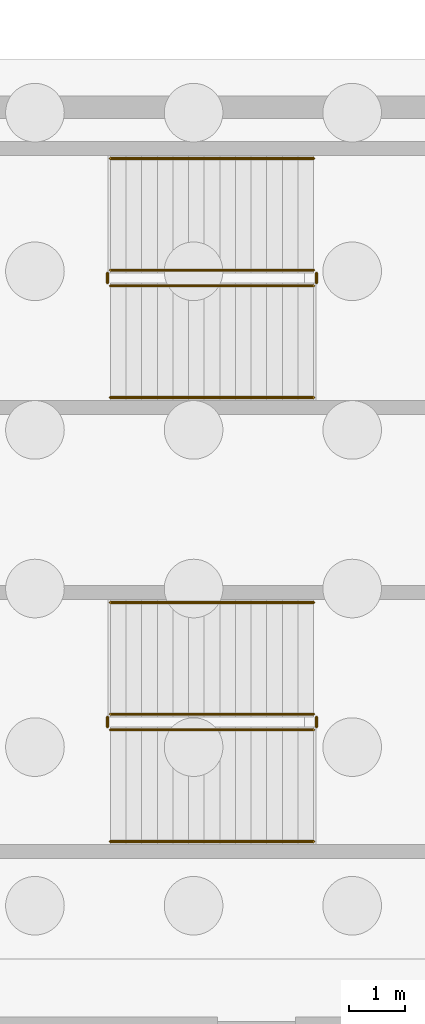
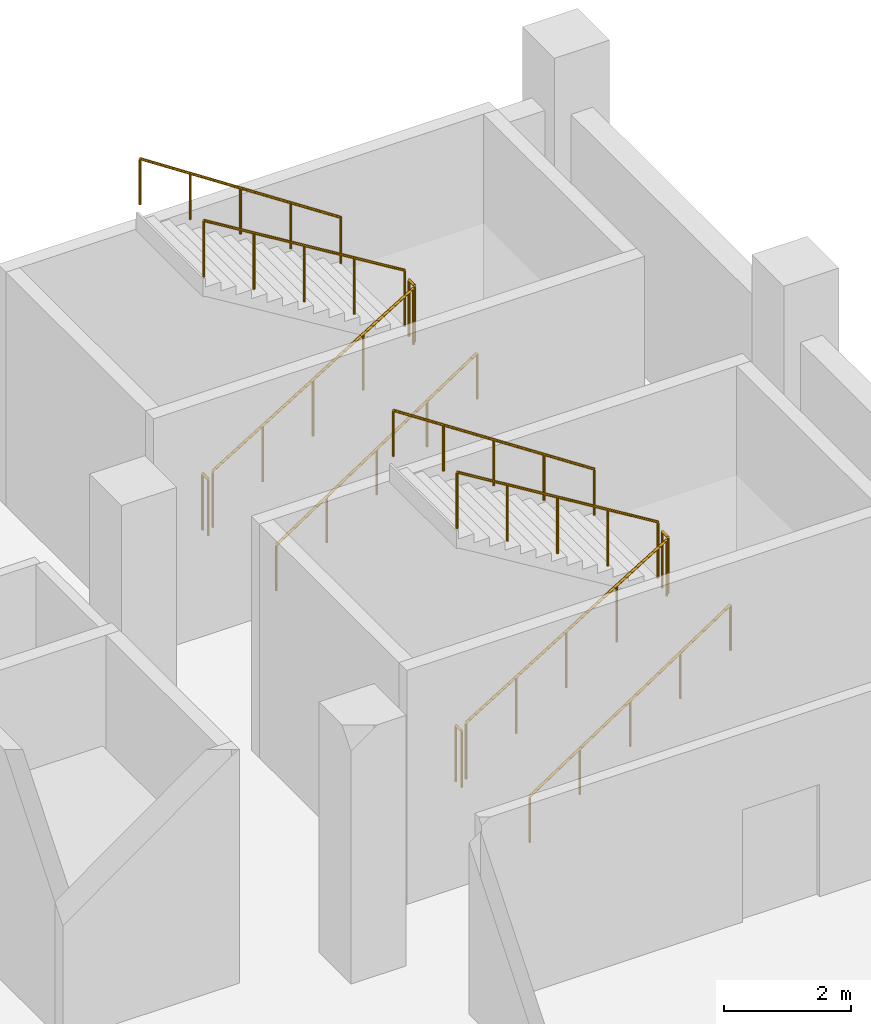
# One storey, part 9 of 10: 12 railings.
"""IFC4 building model written with IfcOpenShell, lengths in metres."""

from ifc_helpers import new_model, si_unit, direction, frame, origin, origin_2d, place, context, subcontext, project, spatial, circle, extrude, material, type_object, element, save


model = new_model("IFC4")

# Units and contexts
model_context = context("Model", 3, precision=1e-05, world=origin(), true_north=direction((0.0, 1.0)))
body_context = subcontext(model_context, "Body", "Model", "MODEL_VIEW")
ifc_project = project(units=[si_unit("LENGTHUNIT", "METRE"), si_unit("AREAUNIT", "SQUARE_METRE"), si_unit("VOLUMEUNIT", "CUBIC_METRE"), si_unit("PLANEANGLEUNIT", "RADIAN"), si_unit("MASSUNIT", "GRAM", prefix="KILO")], contexts=[model_context])

# Site, building, storey
site_placement = place(None, origin())
site = spatial("IfcSite", under=ifc_project, at=site_placement, CompositionType="ELEMENT")
building_placement = place(site_placement, origin())
building = spatial("IfcBuilding", under=site, at=building_placement, Name="Cendralis Lancet Convention Centre", CompositionType="ELEMENT")
storey_placement = place(building_placement, frame((0.0, 0.0, -4.800048828125)))
storey = spatial("IfcBuildingStorey", under=building, at=storey_placement, Name="B1", CompositionType="ELEMENT", Elevation=-4.800048828125)

# Railings
ifc_material = material(Name="Steel S355", Category="steel")
railing_type_1 = type_object("IfcRailingType", Name="ARC-RL-CGD", PredefinedType="GUARDRAIL", material=ifc_material)
railing_1_placement = place(storey_placement, frame((200.550048828125, 24.85009765625, 0.17138671875)))
element("IfcRailing", 1, at=railing_1_placement, inside=storey, type_object=railing_type_1, Name="B1 ST-15 stair guard 1", PredefinedType="GUARDRAIL", context=body_context, shape_type="SweptSolid", body=[
    extrude(circle(Radius=0.02392578125, at=origin_2d()), frame((0.0, 0.0, 1.076171875), z_axis=(0.852824790078, 0.0, 0.522197163366), x_axis=(0.0, 1.0, 0.0)), (0.0, 0.0, 1.0), 4.26806640625),
    extrude(circle(Radius=0.02099609375, at=origin_2d()), origin(), (0.0, 0.0, 1.0), 1.052001953125),
    extrude(circle(Radius=0.02099609375, at=origin_2d()), frame((0.909912109375, 0.0, 0.55712890625)), (0.0, 0.0, 1.0), 1.052001953125),
    extrude(circle(Radius=0.02099609375, at=origin_2d()), frame((1.81982421875, 0.0, 1.1142578125)), (0.0, 0.0, 1.0), 1.052001953125),
    extrude(circle(Radius=0.02099609375, at=origin_2d()), frame((2.72998046875, 0.0, 1.671630859375)), (0.0, 0.0, 1.0), 1.052001953125),
    extrude(circle(Radius=0.02099609375, at=origin_2d()), frame((3.639892578125, 0.0, 2.228759765625)), (0.0, 0.0, 1.0), 1.052001953125),
])
railing_2_placement = place(storey_placement, frame((204.239990234375, 24.89990234375, 2.400146484375)))
element("IfcRailing", 2, at=railing_2_placement, inside=storey, type_object=railing_type_1, Name="B1 ST-15 stair guard 2", PredefinedType="GUARDRAIL", context=body_context, shape_type="SweptSolid", body=[
    extrude(circle(Radius=0.02392578125, at=origin_2d()), frame((0.0, 0.0, 1.076171875), z_axis=(0.0, 1.0, 0.0), x_axis=(-1.0, 0.0, 0.0)), (0.0, 0.0, 1.0), 0.18017578125),
    extrude(circle(Radius=0.02099609375, at=origin_2d()), origin(), (0.0, 0.0, 1.0), 1.052001953125),
    extrude(circle(Radius=0.02099609375, at=origin_2d()), frame((0.0, 0.18017578125, 0.0)), (0.0, 0.0, 1.0), 1.052001953125),
])
railing_3_placement = place(storey_placement, frame((204.18994140625, 25.1298828125, 2.571533203125)))
element("IfcRailing", 3, at=railing_3_placement, inside=storey, type_object=railing_type_1, Name="B1 ST-15 stair guard 3", PredefinedType="GUARDRAIL", context=body_context, shape_type="SweptSolid", body=[
    extrude(circle(Radius=0.02392578125, at=origin_2d()), frame((0.0, 0.0, 1.076171875), z_axis=(-0.852850264322, 0.0, 0.5221555579), x_axis=(0.0, -1.0, 0.0)), (0.0, 0.0, 1.0), 4.267822265625),
    extrude(circle(Radius=0.02099609375, at=origin_2d()), origin(), (0.0, 0.0, 1.0), 1.052001953125),
    extrude(circle(Radius=0.02099609375, at=origin_2d()), frame((-0.909912109375, 0.0, 0.55712890625)), (0.0, 0.0, 1.0), 1.052001953125),
    extrude(circle(Radius=0.02099609375, at=origin_2d()), frame((-1.81982421875, 0.0, 1.1142578125)), (0.0, 0.0, 1.0), 1.052001953125),
    extrude(circle(Radius=0.02099609375, at=origin_2d()), frame((-2.72998046875, 0.0, 1.67138671875)), (0.0, 0.0, 1.0), 1.052001953125),
    extrude(circle(Radius=0.02099609375, at=origin_2d()), frame((-3.639892578125, 0.0, 2.228515625)), (0.0, 0.0, 1.0), 1.052001953125),
])
railing_4_placement = place(storey_placement, frame((200.5, 24.89990234375, 0.0)))
element("IfcRailing", 4, at=railing_4_placement, inside=storey, type_object=railing_type_1, Name="B1 ST-15 stair guard 4", PredefinedType="GUARDRAIL", context=body_context, shape_type="SweptSolid", body=[
    extrude(circle(Radius=0.02392578125, at=origin_2d()), frame((0.0, 0.0, 1.076171875), z_axis=(0.0, 1.0, 0.0), x_axis=(-1.0, 0.0, 0.0)), (0.0, 0.0, 1.0), 0.18017578125),
    extrude(circle(Radius=0.02099609375, at=origin_2d()), origin(), (0.0, 0.0, 1.0), 1.052001953125),
    extrude(circle(Radius=0.02099609375, at=origin_2d()), frame((0.0, 0.18017578125, 0.0)), (0.0, 0.0, 1.0), 1.052001953125),
])
railing_5_placement = place(storey_placement, frame((200.550048828125, 32.800048828125, 0.17138671875)))
element("IfcRailing", 5, at=railing_5_placement, inside=storey, type_object=railing_type_1, Name="B1 ST-16 stair guard 1", PredefinedType="GUARDRAIL", context=body_context, shape_type="SweptSolid", body=[
    extrude(circle(Radius=0.02392578125, at=origin_2d()), frame((0.0, 0.0, 1.076171875), z_axis=(0.852824790078, 0.0, 0.522197163366), x_axis=(0.0, 1.0, 0.0)), (0.0, 0.0, 1.0), 4.26806640625),
    extrude(circle(Radius=0.02099609375, at=origin_2d()), origin(), (0.0, 0.0, 1.0), 1.052001953125),
    extrude(circle(Radius=0.02099609375, at=origin_2d()), frame((0.909912109375, 0.0, 0.55712890625)), (0.0, 0.0, 1.0), 1.052001953125),
    extrude(circle(Radius=0.02099609375, at=origin_2d()), frame((1.81982421875, 0.0, 1.1142578125)), (0.0, 0.0, 1.0), 1.052001953125),
    extrude(circle(Radius=0.02099609375, at=origin_2d()), frame((2.72998046875, 0.0, 1.671630859375)), (0.0, 0.0, 1.0), 1.052001953125),
    extrude(circle(Radius=0.02099609375, at=origin_2d()), frame((3.639892578125, 0.0, 2.228759765625)), (0.0, 0.0, 1.0), 1.052001953125),
])
railing_6_placement = place(storey_placement, frame((204.239990234375, 32.85009765625, 2.400146484375)))
element("IfcRailing", 6, at=railing_6_placement, inside=storey, type_object=railing_type_1, Name="B1 ST-16 stair guard 2", PredefinedType="GUARDRAIL", context=body_context, shape_type="SweptSolid", body=[
    extrude(circle(Radius=0.02392578125, at=origin_2d()), frame((0.0, 0.0, 1.076171875), z_axis=(0.0, 1.0, 0.0), x_axis=(-1.0, 0.0, 0.0)), (0.0, 0.0, 1.0), 0.179931640625),
    extrude(circle(Radius=0.02099609375, at=origin_2d()), origin(), (0.0, 0.0, 1.0), 1.052001953125),
    extrude(circle(Radius=0.02099609375, at=origin_2d()), frame((0.0, 0.179931640625, 0.0)), (0.0, 0.0, 1.0), 1.052001953125),
])
railing_7_placement = place(storey_placement, frame((204.18994140625, 33.080078125, 2.571533203125)))
element("IfcRailing", 7, at=railing_7_placement, inside=storey, type_object=railing_type_1, Name="B1 ST-16 stair guard 3", PredefinedType="GUARDRAIL", context=body_context, shape_type="SweptSolid", body=[
    extrude(circle(Radius=0.02392578125, at=origin_2d()), frame((0.0, 0.0, 1.076171875), z_axis=(-0.852850264322, 0.0, 0.5221555579), x_axis=(0.0, -1.0, 0.0)), (0.0, 0.0, 1.0), 4.267822265625),
    extrude(circle(Radius=0.02099609375, at=origin_2d()), origin(), (0.0, 0.0, 1.0), 1.052001953125),
    extrude(circle(Radius=0.02099609375, at=origin_2d()), frame((-0.909912109375, 0.0, 0.55712890625)), (0.0, 0.0, 1.0), 1.052001953125),
    extrude(circle(Radius=0.02099609375, at=origin_2d()), frame((-1.81982421875, 0.0, 1.1142578125)), (0.0, 0.0, 1.0), 1.052001953125),
    extrude(circle(Radius=0.02099609375, at=origin_2d()), frame((-2.72998046875, 0.0, 1.67138671875)), (0.0, 0.0, 1.0), 1.052001953125),
    extrude(circle(Radius=0.02099609375, at=origin_2d()), frame((-3.639892578125, 0.0, 2.228515625)), (0.0, 0.0, 1.0), 1.052001953125),
])
railing_8_placement = place(storey_placement, frame((200.5, 32.85009765625, 0.0)))
element("IfcRailing", 8, at=railing_8_placement, inside=storey, type_object=railing_type_1, Name="B1 ST-16 stair guard 4", PredefinedType="GUARDRAIL", context=body_context, shape_type="SweptSolid", body=[
    extrude(circle(Radius=0.02392578125, at=origin_2d()), frame((0.0, 0.0, 1.076171875), z_axis=(0.0, 1.0, 0.0), x_axis=(-1.0, 0.0, 0.0)), (0.0, 0.0, 1.0), 0.179931640625),
    extrude(circle(Radius=0.02099609375, at=origin_2d()), origin(), (0.0, 0.0, 1.0), 1.052001953125),
    extrude(circle(Radius=0.02099609375, at=origin_2d()), frame((0.0, 0.179931640625, 0.0)), (0.0, 0.0, 1.0), 1.052001953125),
])
railing_type_2 = type_object("IfcRailingType", Name="ARC-RL-CHR", PredefinedType="HANDRAIL", material=ifc_material)
railing_9_placement = place(storey_placement, frame((200.550048828125, 22.85009765625, 0.17138671875)))
element("IfcRailing", 9, at=railing_9_placement, inside=storey, type_object=railing_type_2, Name="B1 ST-15 stair handrail 1", PredefinedType="HANDRAIL", context=body_context, shape_type="SweptSolid", body=[
    extrude(circle(Radius=0.02392578125, at=origin_2d()), frame((0.0, 0.0, 0.8759765625), z_axis=(0.834839479206, 0.0, 0.550493454965), x_axis=(0.0, 1.0, 0.0)), (0.0, 0.0, 1.0), 4.360107421875),
    extrude(circle(Radius=0.02099609375, at=origin_2d()), origin(), (0.0, 0.0, 1.0), 0.851806640625),
    extrude(circle(Radius=0.02099609375, at=origin_2d()), frame((0.909912109375, 0.0, 0.60009765625)), (0.0, 0.0, 1.0), 0.851806640625),
    extrude(circle(Radius=0.02099609375, at=origin_2d()), frame((1.81982421875, 0.0, 1.2001953125)), (0.0, 0.0, 1.0), 0.851806640625),
    extrude(circle(Radius=0.02099609375, at=origin_2d()), frame((2.72998046875, 0.0, 1.800048828125)), (0.0, 0.0, 1.0), 0.851806640625),
    extrude(circle(Radius=0.02099609375, at=origin_2d()), frame((3.639892578125, 0.0, 2.400146484375)), (0.0, 0.0, 1.0), 0.851806640625),
])
railing_10_placement = place(storey_placement, frame((204.18994140625, 27.1298828125, 2.571533203125)))
element("IfcRailing", 10, at=railing_10_placement, inside=storey, type_object=railing_type_2, Name="B1 ST-15 stair handrail 2", PredefinedType="HANDRAIL", context=body_context, shape_type="SweptSolid", body=[
    extrude(circle(Radius=0.02392578125, at=origin_2d()), frame((0.0, 0.0, 0.8759765625), z_axis=(-0.834865213223, 0.0, 0.550454426587), x_axis=(0.0, -1.0, 0.0)), (0.0, 0.0, 1.0), 4.35986328125),
    extrude(circle(Radius=0.02099609375, at=origin_2d()), origin(), (0.0, 0.0, 1.0), 0.851806640625),
    extrude(circle(Radius=0.02099609375, at=origin_2d()), frame((-0.909912109375, 0.0, 0.60009765625)), (0.0, 0.0, 1.0), 0.851806640625),
    extrude(circle(Radius=0.02099609375, at=origin_2d()), frame((-1.81982421875, 0.0, 1.199951171875)), (0.0, 0.0, 1.0), 0.851806640625),
    extrude(circle(Radius=0.02099609375, at=origin_2d()), frame((-2.72998046875, 0.0, 1.7998046875)), (0.0, 0.0, 1.0), 0.851806640625),
    extrude(circle(Radius=0.02099609375, at=origin_2d()), frame((-3.639892578125, 0.0, 2.39990234375)), (0.0, 0.0, 1.0), 0.851806640625),
])
railing_11_placement = place(storey_placement, frame((200.550048828125, 30.800048828125, 0.17138671875)))
element("IfcRailing", 11, at=railing_11_placement, inside=storey, type_object=railing_type_2, Name="B1 ST-16 stair handrail 1", PredefinedType="HANDRAIL", context=body_context, shape_type="SweptSolid", body=[
    extrude(circle(Radius=0.02392578125, at=origin_2d()), frame((0.0, 0.0, 0.8759765625), z_axis=(0.834839479206, 0.0, 0.550493454965), x_axis=(0.0, 1.0, 0.0)), (0.0, 0.0, 1.0), 4.360107421875),
    extrude(circle(Radius=0.02099609375, at=origin_2d()), origin(), (0.0, 0.0, 1.0), 0.851806640625),
    extrude(circle(Radius=0.02099609375, at=origin_2d()), frame((0.909912109375, 0.0, 0.60009765625)), (0.0, 0.0, 1.0), 0.851806640625),
    extrude(circle(Radius=0.02099609375, at=origin_2d()), frame((1.81982421875, 0.0, 1.2001953125)), (0.0, 0.0, 1.0), 0.851806640625),
    extrude(circle(Radius=0.02099609375, at=origin_2d()), frame((2.72998046875, 0.0, 1.800048828125)), (0.0, 0.0, 1.0), 0.851806640625),
    extrude(circle(Radius=0.02099609375, at=origin_2d()), frame((3.639892578125, 0.0, 2.400146484375)), (0.0, 0.0, 1.0), 0.851806640625),
])
railing_12_placement = place(storey_placement, frame((204.18994140625, 35.080078125, 2.571533203125)))
element("IfcRailing", 12, at=railing_12_placement, inside=storey, type_object=railing_type_2, Name="B1 ST-16 stair handrail 2", PredefinedType="HANDRAIL", context=body_context, shape_type="SweptSolid", body=[
    extrude(circle(Radius=0.02392578125, at=origin_2d()), frame((0.0, 0.0, 0.8759765625), z_axis=(-0.834865213223, 0.0, 0.550454426587), x_axis=(0.0, -1.0, 0.0)), (0.0, 0.0, 1.0), 4.35986328125),
    extrude(circle(Radius=0.02099609375, at=origin_2d()), origin(), (0.0, 0.0, 1.0), 0.851806640625),
    extrude(circle(Radius=0.02099609375, at=origin_2d()), frame((-0.909912109375, 0.0, 0.60009765625)), (0.0, 0.0, 1.0), 0.851806640625),
    extrude(circle(Radius=0.02099609375, at=origin_2d()), frame((-1.81982421875, 0.0, 1.199951171875)), (0.0, 0.0, 1.0), 0.851806640625),
    extrude(circle(Radius=0.02099609375, at=origin_2d()), frame((-2.72998046875, 0.0, 1.7998046875)), (0.0, 0.0, 1.0), 0.851806640625),
    extrude(circle(Radius=0.02099609375, at=origin_2d()), frame((-3.639892578125, 0.0, 2.39990234375)), (0.0, 0.0, 1.0), 0.851806640625),
])

save(model, "model.ifc")
